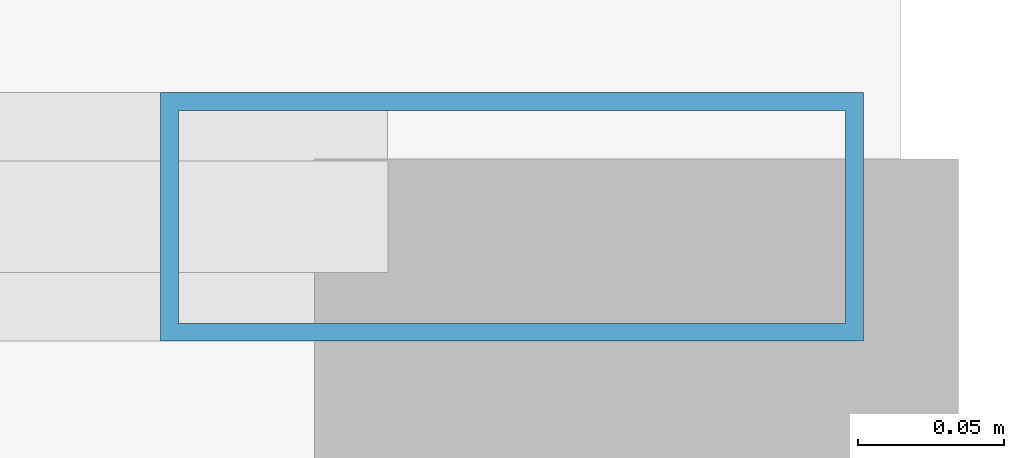
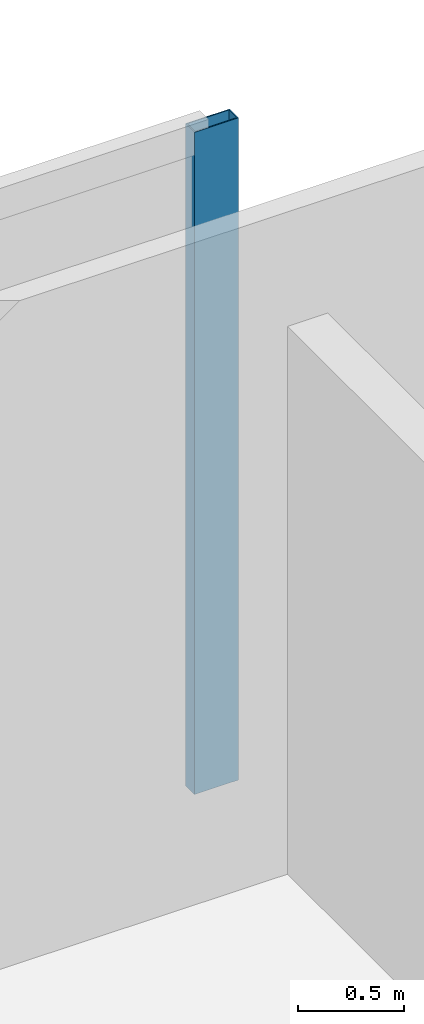
# One storey, part 24 of 30: 1 member, 1 element without a shape of its own.
"""IFC4 building model written with IfcOpenShell, lengths in metres."""

from ifc_helpers import new_model, si_unit, direction, frame, origin, origin_2d, place, context, subcontext, project, spatial, hollow_rectangle, extrude, material, material_profile, profile_set, type_object, element, aggregate, save


model = new_model("IFC4")

# Units and contexts
model_context = context("Model", 3, precision=1e-05, world=origin(), true_north=direction((0.0, 1.0)))
body_context = subcontext(model_context, "Body", "Model", "MODEL_VIEW")
ifc_project = project(units=[si_unit("LENGTHUNIT", "METRE"), si_unit("AREAUNIT", "SQUARE_METRE"), si_unit("VOLUMEUNIT", "CUBIC_METRE"), si_unit("PLANEANGLEUNIT", "RADIAN"), si_unit("MASSUNIT", "GRAM", prefix="KILO")], contexts=[model_context])

# Site, building, storey
site_placement = place(None, origin())
site = spatial("IfcSite", under=ifc_project, at=site_placement, CompositionType="ELEMENT")
building_placement = place(site_placement, origin())
building = spatial("IfcBuilding", under=site, at=building_placement, Name="Khoronbel Lancet Exchange", CompositionType="ELEMENT")
storey_placement = place(building_placement, frame((0.0, 0.0, 98.60009765625)))
storey = spatial("IfcBuildingStorey", under=building, at=storey_placement, Name="L23", CompositionType="ELEMENT", Elevation=98.60009765625)

# Curtain wall, member
ifc_material_1 = material(Name="Low-E Solar Control Insulating Glass", Category="glass")
curtain_wall_type = type_object("IfcCurtainWallType", Name="CW-2", PredefinedType="NOTDEFINED", material=ifc_material_1)
curtain_wall_placement = place(storey_placement, origin())
curtain_wall = element("IfcCurtainWall", 1, at=curtain_wall_placement, inside=storey, type_object=curtain_wall_type, Name="Unitised curtain wall CW-L23-NEFLK", PredefinedType="NOTDEFINED")
ifc_material_2 = material(Name="Bronze-Anodised Aluminium 6063-T6", Category="aluminium")
ifc_material_profile = material_profile(ifc_material_2, hollow_rectangle(XDim=0.0849609375, YDim=0.239990234375, WallThickness=0.006103515625, at=origin_2d()), Name="ALU MULLION 85x240")
ifc_profile_set = profile_set([ifc_material_profile], Name="Bronze-Anodised Aluminium 6063-T6")
member_type = type_object("IfcMemberType", Name="MEM-CWM1", PredefinedType="MULLION", material=ifc_profile_set)
member_placement = place(storey_placement, frame((65.91748046875, 53.610107421875, 0.0), z_axis=(0.0, 0.0, 1.0), x_axis=(0.0, -1.0, 0.0)))
member = element("IfcMember", 2, at=member_placement, type_object=member_type, Name="CW2 mullion 1", PredefinedType="MULLION", context=body_context, shape_type="SweptSolid", body=[
    extrude(hollow_rectangle(XDim=0.0849609375, YDim=0.239990234375, WallThickness=0.006103515625, at=origin_2d()), origin(), (0.0, 0.0, 1.0), 3.81982421875),
])
aggregate(curtain_wall, [member])

save(model, "model.ifc")
